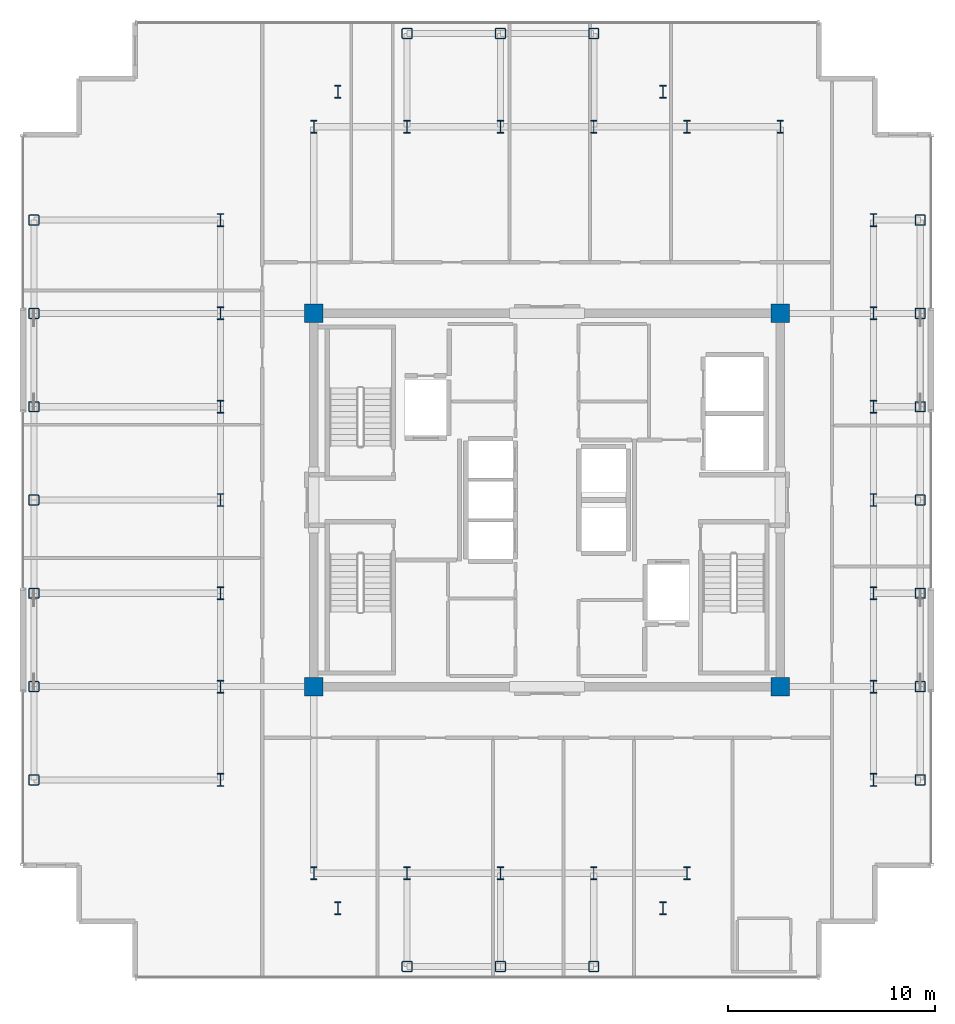
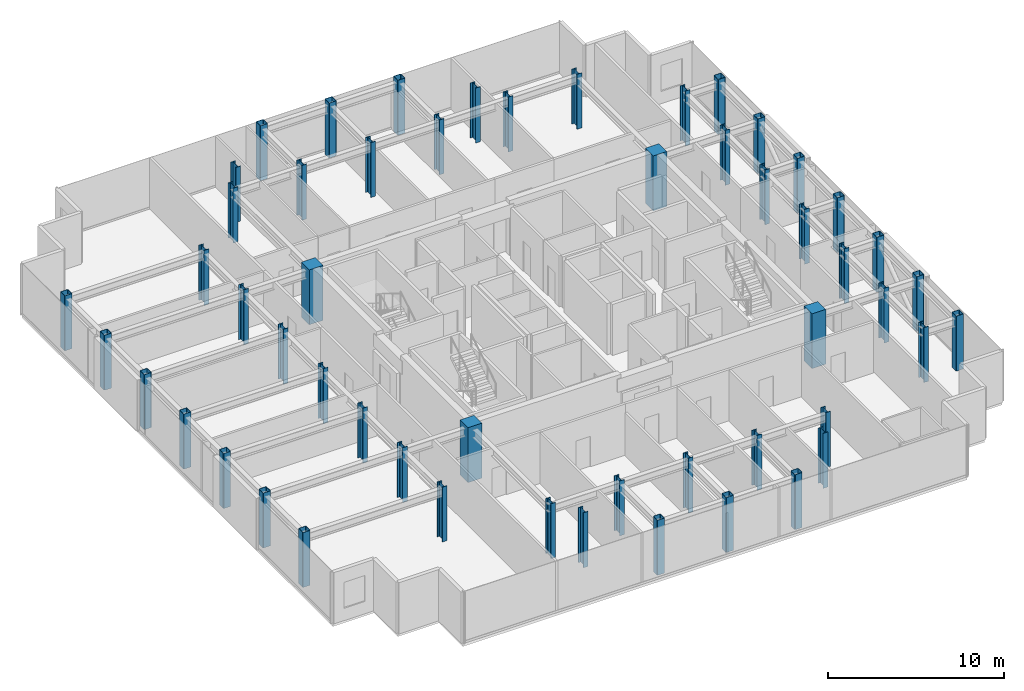
# One storey, part 1 of 16: 53 columns.
"""IFC4 building model written with IfcOpenShell, lengths in metres."""

from ifc_helpers import new_model, si_unit, direction, frame, origin, origin_2d, place, context, subcontext, project, spatial, rectangle, hollow_rectangle, i_section, extrude, source, transform, mapped, material, material_profile, profile_set, type_object, element, save


model = new_model("IFC4")

# Units and contexts
model_context = context("Model", 3, precision=1e-05, world=origin(), true_north=direction((0.0, 1.0)))
body_context = subcontext(model_context, "Body", "Model", "MODEL_VIEW")
ifc_project = project(units=[si_unit("LENGTHUNIT", "METRE"), si_unit("AREAUNIT", "SQUARE_METRE"), si_unit("VOLUMEUNIT", "CUBIC_METRE"), si_unit("PLANEANGLEUNIT", "RADIAN"), si_unit("MASSUNIT", "GRAM", prefix="KILO")], contexts=[model_context])

# Site, building, storey
site_placement = place(None, origin())
site = spatial("IfcSite", under=ifc_project, at=site_placement, CompositionType="ELEMENT")
building_placement = place(site_placement, origin())
building = spatial("IfcBuilding", under=site, at=building_placement, Name="Nefas-Gora Pilgrimage Tower", CompositionType="ELEMENT")
storey_placement = place(building_placement, frame((0.0, 0.0, 333.800048828125)))
storey = spatial("IfcBuildingStorey", under=building, at=storey_placement, Name="L84", CompositionType="ELEMENT", Elevation=333.800048828125)

# Columns
ifc_material_1 = material(Name="Steel S355", Category="steel")
ifc_material_profile_1 = material_profile(ifc_material_1, i_section(OverallWidth=0.304931640625, OverallDepth=0.6201171875, WebThickness=0.02099609375, FlangeThickness=0.0400390625, FilletRadius=0.027099609375, at=origin_2d()), Name="HEM 600")
ifc_profile_set_1 = profile_set([ifc_material_profile_1], Name="Steel S355")
column_type_1 = type_object("IfcColumnType", Name="COL-WEB-HEM600", PredefinedType="COLUMN", material=ifc_profile_set_1)
shared_shape_1 = source(origin(), body_context, "Body", "SweptSolid", [
    extrude(i_section(OverallWidth=0.304931640625, OverallDepth=0.6201171875, WebThickness=0.02099609375, FlangeThickness=0.0400390625, FilletRadius=0.027099609375, at=origin_2d()), origin(), (0.0, 0.0, 1.0), 3.800048828125),
])
for number, where, z_axis, x_axis, name in (
    (1, (-15.75, -13.5, 0.0), (0.0, 0.0, 1.0), (1.0, 0.0, 0.0), "L84 Tower Column CW-03.8"),
    (2, (-15.75, -9.0, 0.0), (0.0, 0.0, 1.0), (1.0, 0.0, 0.0), "L84 Tower Column CW-03.9"),
    (3, (-15.75, -4.5, 0.0), (0.0, 0.0, 1.0), (1.0, 0.0, 0.0), "L84 Tower Column CW-03.10"),
    (4, (-15.75, 0.0, 0.0), (0.0, 0.0, 1.0), (1.0, 0.0, 0.0), "L84 Tower Column CW-03.11"),
    (5, (-15.75, 4.5, 0.0), (0.0, 0.0, 1.0), (1.0, 0.0, 0.0), "L84 Tower Column CW-03.12"),
    (6, (-15.75, 9.0, 0.0), (0.0, 0.0, 1.0), (1.0, 0.0, 0.0), "L84 Tower Column CW-03.13"),
    (7, (-15.75, 13.5, 0.0), (0.0, 0.0, 1.0), (1.0, 0.0, 0.0), "L84 Tower Column CW-03.14"),
    (8, (-11.25, -18.0, 0.0), (0.0, 0.0, 1.0), (1.0, 0.0, 0.0), "L84 Tower Column CW-03.15"),
    (9, (-11.25, 18.0, 0.0), (0.0, 0.0, 1.0), (1.0, 0.0, 0.0), "L84 Tower Column CW-03.18"),
    (10, (-10.091064453125, -19.696044921875, 0.0), (0.0, 0.0, 1.0), (1.0, 0.0, 0.0), "L84 Tower Column CW-03.19"),
    (11, (-10.091064453125, 19.696044921875, 0.0), (0.0, 0.0, 1.0), (1.0, 0.0, 0.0), "L84 Tower Column CW-03.20"),
    (12, (-6.75, -18.0, 0.0), (0.0, 0.0, 1.0), (1.0, 0.0, 0.0), "L84 Tower Column CW-03.22"),
    (13, (-6.75, 18.0, 0.0), (0.0, 0.0, 1.0), (1.0, 0.0, 0.0), "L84 Tower Column CW-03.23"),
    (14, (-2.25, -18.0, 0.0), (0.0, 0.0, 1.0), (1.0, 0.0, 0.0), "L84 Tower Column CW-03.26"),
    (15, (-2.25, 18.0, 0.0), (0.0, 0.0, 1.0), (1.0, 0.0, 0.0), "L84 Tower Column CW-03.27"),
    (16, (2.25, -18.0, 0.0), (0.0, 0.0, 1.0), (1.0, 0.0, 0.0), "L84 Tower Column CW-03.30"),
    (17, (2.25, 18.0, 0.0), (0.0, 0.0, 1.0), (1.0, 0.0, 0.0), "L84 Tower Column CW-03.31"),
    (18, (5.591064453125, -19.696044921875, 0.0), (0.0, 0.0, 1.0), (1.0, 0.0, 0.0), "L84 Tower Column CW-03.33"),
    (19, (5.591064453125, 19.696044921875, 0.0), (0.0, 0.0, 1.0), (1.0, 0.0, 0.0), "L84 Tower Column CW-03.34"),
    (20, (6.75, -18.0, 0.0), (0.0, 0.0, 1.0), (1.0, 0.0, 0.0), "L84 Tower Column CW-03.35"),
    (21, (6.75, 18.0, 0.0), (0.0, 0.0, 1.0), (1.0, 0.0, 0.0), "L84 Tower Column CW-03.36"),
    (22, (11.25, 18.0, 0.0), (0.0, 0.0, 1.0), (1.0, 0.0, 0.0), "L84 Tower Column CW-03.39"),
    (23, (15.75, -13.5, 0.0), (0.0, 0.0, 1.0), (1.0, 0.0, 0.0), "L84 Tower Column CW-03.40"),
    (24, (15.75, -9.0, 0.0), (0.0, 0.0, 1.0), (1.0, 0.0, 0.0), "L84 Tower Column CW-03.41"),
    (25, (15.75, -4.5, 0.0), (0.0, 0.0, 1.0), (1.0, 0.0, 0.0), "L84 Tower Column CW-03.42"),
    (26, (15.75, 0.0, 0.0), (0.0, 0.0, 1.0), (1.0, 0.0, 0.0), "L84 Tower Column CW-03.43"),
    (27, (15.75, 4.5, 0.0), (0.0, 0.0, 1.0), (1.0, 0.0, 0.0), "L84 Tower Column CW-03.44"),
    (28, (15.75, 9.0, 0.0), (0.0, 0.0, 1.0), (1.0, 0.0, 0.0), "L84 Tower Column CW-03.45"),
    (29, (15.75, 13.5, 0.0), (0.0, 0.0, 1.0), (1.0, 0.0, 0.0), "L84 Tower Column CW-03.46"),
):
    element("IfcColumn", number, at=place(storey_placement, frame(where, z_axis=z_axis, x_axis=x_axis)), inside=storey, type_object=column_type_1, Name=name, PredefinedType="COLUMN", context=body_context, shape_type="MappedRepresentation", body=[
        mapped(shared_shape_1, transform((0.0, 0.0, 0.0), x_axis=(1.0, 0.0, 0.0), y_axis=(0.0, 1.0, 0.0), z_axis=(0.0, 0.0, 1.0), scale=1.0)),
    ])
ifc_material_profile_2 = material_profile(ifc_material_1, hollow_rectangle(XDim=0.5, YDim=0.5, WallThickness=0.02490234375, InnerFilletRadius=0.02490234375, OuterFilletRadius=0.050048828125, at=origin_2d()), Name="SHS 500x500x25")
ifc_profile_set_2 = profile_set([ifc_material_profile_2], Name="Steel S355")
column_type_2 = type_object("IfcColumnType", Name="COL-TUBE-500", PredefinedType="COLUMN", material=ifc_profile_set_2)
shared_shape_2 = source(origin(), body_context, "Body", "SweptSolid", [
    extrude(hollow_rectangle(XDim=0.5, YDim=0.5, WallThickness=0.02490234375, InnerFilletRadius=0.02490234375, OuterFilletRadius=0.050048828125, at=origin_2d()), origin(), (0.0, 0.0, 1.0), 3.800048828125),
])
for number, where, z_axis, x_axis, name in (
    (30, (-24.75, -13.5, 0.0), (0.0, 0.0, 1.0), (1.0, 0.0, 0.0), "L84 Tower Column C-Z4.1"),
    (31, (-24.75, -9.0, 0.0), (0.0, 0.0, 1.0), (1.0, 0.0, 0.0), "L84 Tower Column C-Z4.2"),
    (32, (-24.75, -4.5, 0.0), (0.0, 0.0, 1.0), (1.0, 0.0, 0.0), "L84 Tower Column C-Z4.3"),
    (33, (-24.75, 0.0, 0.0), (0.0, 0.0, 1.0), (1.0, 0.0, 0.0), "L84 Tower Column C-Z4.4"),
    (34, (-24.75, 4.5, 0.0), (0.0, 0.0, 1.0), (1.0, 0.0, 0.0), "L84 Tower Column C-Z4.5"),
    (35, (-24.75, 9.0, 0.0), (0.0, 0.0, 1.0), (1.0, 0.0, 0.0), "L84 Tower Column C-Z4.6"),
    (36, (-24.75, 13.5, 0.0), (0.0, 0.0, 1.0), (1.0, 0.0, 0.0), "L84 Tower Column C-Z4.7"),
    (37, (-6.75, -22.5, 0.0), (0.0, 0.0, 1.0), (1.0, 0.0, 0.0), "L84 Tower Column C-Z4.21"),
    (38, (-6.75, 22.5, 0.0), (0.0, 0.0, 1.0), (1.0, 0.0, 0.0), "L84 Tower Column C-Z4.24"),
    (39, (-2.25, -22.5, 0.0), (0.0, 0.0, 1.0), (1.0, 0.0, 0.0), "L84 Tower Column C-Z4.25"),
    (40, (-2.25, 22.5, 0.0), (0.0, 0.0, 1.0), (1.0, 0.0, 0.0), "L84 Tower Column C-Z4.28"),
    (41, (2.25, -22.5, 0.0), (0.0, 0.0, 1.0), (1.0, 0.0, 0.0), "L84 Tower Column C-Z4.29"),
    (42, (2.25, 22.5, 0.0), (0.0, 0.0, 1.0), (1.0, 0.0, 0.0), "L84 Tower Column C-Z4.32"),
    (43, (18.0, -13.5, 0.0), (0.0, 0.0, 1.0), (1.0, 0.0, 0.0), "L84 Tower Column C-Z4.47"),
    (44, (18.0, -9.0, 0.0), (0.0, 0.0, 1.0), (1.0, 0.0, 0.0), "L84 Tower Column C-Z4.48"),
    (45, (18.0, -4.5, 0.0), (0.0, 0.0, 1.0), (1.0, 0.0, 0.0), "L84 Tower Column C-Z4.49"),
    (46, (18.0, 0.0, 0.0), (0.0, 0.0, 1.0), (1.0, 0.0, 0.0), "L84 Tower Column C-Z4.50"),
    (47, (18.0, 4.5, 0.0), (0.0, 0.0, 1.0), (1.0, 0.0, 0.0), "L84 Tower Column C-Z4.51"),
    (48, (18.0, 9.0, 0.0), (0.0, 0.0, 1.0), (1.0, 0.0, 0.0), "L84 Tower Column C-Z4.52"),
    (49, (18.0, 13.5, 0.0), (0.0, 0.0, 1.0), (1.0, 0.0, 0.0), "L84 Tower Column C-Z4.53"),
):
    element("IfcColumn", number, at=place(storey_placement, frame(where, z_axis=z_axis, x_axis=x_axis)), inside=storey, type_object=column_type_2, Name=name, PredefinedType="COLUMN", context=body_context, shape_type="MappedRepresentation", body=[
        mapped(shared_shape_2, transform((0.0, 0.0, 0.0), x_axis=(1.0, 0.0, 0.0), y_axis=(0.0, 1.0, 0.0), z_axis=(0.0, 0.0, 1.0), scale=1.0)),
    ])
ifc_material_2 = material(Name="Concrete C50/60", Category="concrete")
ifc_material_profile_3 = material_profile(ifc_material_2, rectangle(XDim=0.89990234375, YDim=0.89990234375, at=origin_2d()), Name="RC 900x900")
ifc_profile_set_3 = profile_set([ifc_material_profile_3], Name="Concrete C50/60")
column_type_3 = type_object("IfcColumnType", Name="COL-RC-900", PredefinedType="COLUMN", material=ifc_profile_set_3)
shared_shape_3 = source(origin(), body_context, "Body", "SweptSolid", [
    extrude(rectangle(XDim=0.89990234375, YDim=0.89990234375, at=origin_2d()), origin(), (0.0, 0.0, 1.0), 3.800048828125),
])
for number, where, z_axis, x_axis, name in (
    (50, (-11.25, -9.0, 0.0), (0.0, 0.0, 1.0), (1.0, 0.0, 0.0), "L84 Tower Column CRC-02.16"),
    (51, (-11.25, 9.0, 0.0), (0.0, 0.0, 1.0), (1.0, 0.0, 0.0), "L84 Tower Column CRC-02.17"),
    (52, (11.25, -9.0, 0.0), (0.0, 0.0, 1.0), (1.0, 0.0, 0.0), "L84 Tower Column CRC-02.37"),
    (53, (11.25, 9.0, 0.0), (0.0, 0.0, 1.0), (1.0, 0.0, 0.0), "L84 Tower Column CRC-02.38"),
):
    element("IfcColumn", number, at=place(storey_placement, frame(where, z_axis=z_axis, x_axis=x_axis)), inside=storey, type_object=column_type_3, Name=name, PredefinedType="COLUMN", context=body_context, shape_type="MappedRepresentation", body=[
        mapped(shared_shape_3, transform((0.0, 0.0, 0.0), x_axis=(1.0, 0.0, 0.0), y_axis=(0.0, 1.0, 0.0), z_axis=(0.0, 0.0, 1.0), scale=1.0)),
    ])

save(model, "model.ifc")
